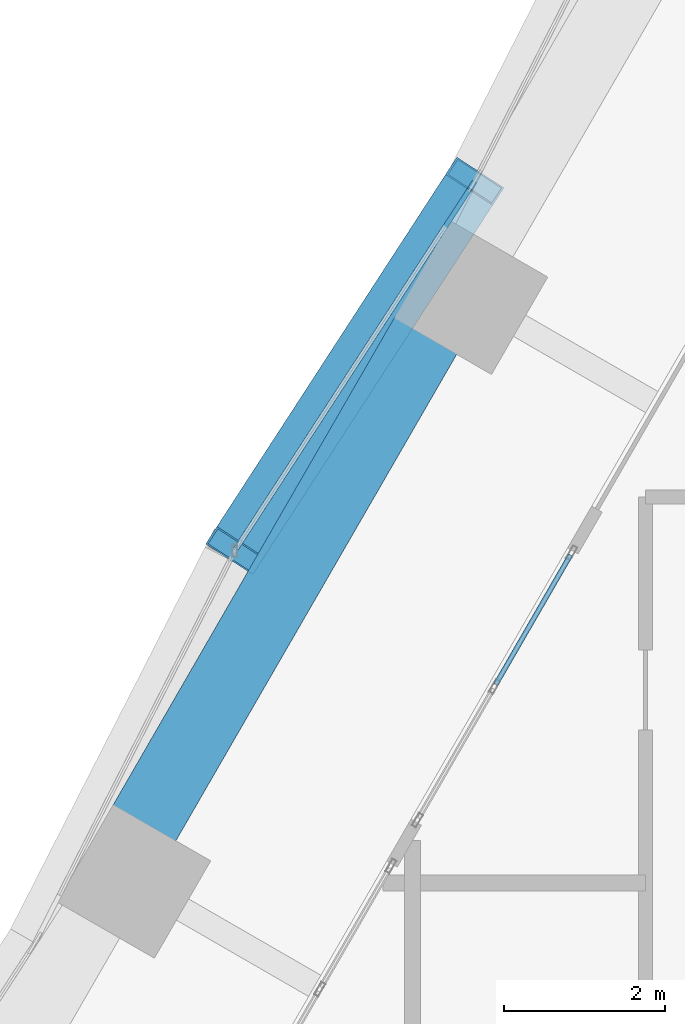
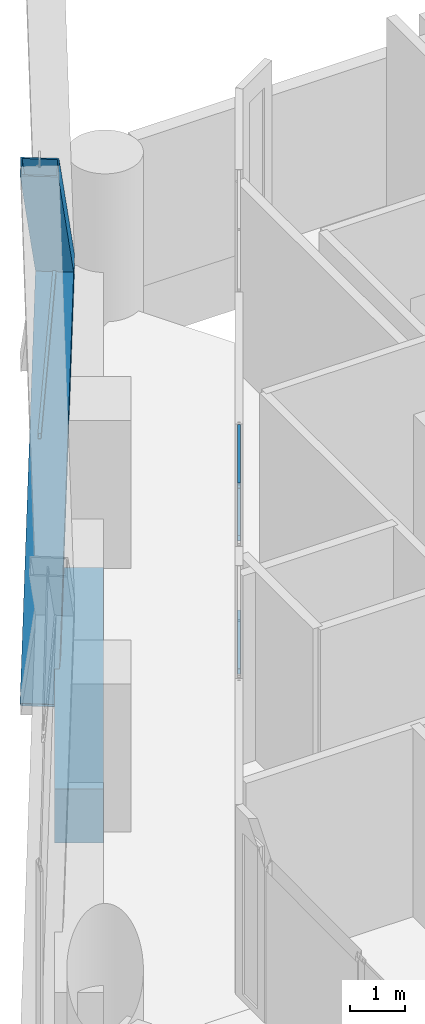
# One storey, part 26 of 46: 6 members, 1 beam, 2 elements without a shape of their own.
"""IFC4 building model written with IfcOpenShell, lengths in metres."""

from ifc_helpers import new_model, si_unit, direction, frame, origin, origin_2d, place, context, subcontext, project, spatial, rectangle, hollow_rectangle, extrude, material, material_profile, profile_set, type_object, element, aggregate, save


model = new_model("IFC4")

# Units and contexts
model_context = context("Model", 3, precision=1e-05, world=origin(), true_north=direction((0.0, 1.0)))
body_context = subcontext(model_context, "Body", "Model", "MODEL_VIEW")
ifc_project = project(units=[si_unit("LENGTHUNIT", "METRE"), si_unit("AREAUNIT", "SQUARE_METRE"), si_unit("VOLUMEUNIT", "CUBIC_METRE"), si_unit("PLANEANGLEUNIT", "RADIAN"), si_unit("MASSUNIT", "GRAM", prefix="KILO")], contexts=[model_context])

# Site, building, storey
site_placement = place(None, origin())
site = spatial("IfcSite", under=ifc_project, at=site_placement, CompositionType="ELEMENT")
building_placement = place(site_placement, origin())
building = spatial("IfcBuilding", under=site, at=building_placement, Name="Ostrander Bayou Hotel Tower", CompositionType="ELEMENT")
storey_placement = place(building_placement, frame((0.0, 0.0, 23.5)))
storey = spatial("IfcBuildingStorey", under=building, at=storey_placement, Name="L05", CompositionType="ELEMENT", Elevation=23.5)

# Curtain wall, member
ifc_material_1 = material(Name="Aluminium and clear glass", Category="aluminium")
curtain_wall_type_1 = type_object("IfcCurtainWallType", Name="CW-LAT lattice glazing", PredefinedType="NOTDEFINED", material=ifc_material_1)
curtain_wall_1_placement = place(storey_placement, origin())
curtain_wall_1 = element("IfcCurtainWall", 1, at=curtain_wall_1_placement, inside=storey, type_object=curtain_wall_type_1, Name="CW-LAT L05 NW 2", PredefinedType="NOTDEFINED")
ifc_material_2 = material(Name="Aluminium", Category="aluminium")
ifc_material_profile_1 = material_profile(ifc_material_2, hollow_rectangle(XDim=0.06005859375, YDim=0.1201171875, WallThickness=0.00390625, at=origin_2d()))
ifc_profile_set_1 = profile_set([ifc_material_profile_1], Name="Aluminium")
member_type_1 = type_object("IfcMemberType", Name="CW-LA transom 60 x 120 mm", PredefinedType="USERDEFINED", material=ifc_profile_set_1)
member_1_placement = place(storey_placement, frame((-19.11328125, 11.034912109375, 5.39990234375), z_axis=(0.544651812438, 0.838662270052, 0.0), x_axis=(-0.838662270052, 0.544651812438, 0.0)))
member_1 = element("IfcMember", 2, at=member_1_placement, type_object=member_type_1, Name="CW-LAT transom 6", ObjectType="TRANSOM", PredefinedType="USERDEFINED", context=body_context, shape_type="SweptSolid", body=[
    extrude(hollow_rectangle(XDim=0.06005859375, YDim=0.1201171875, WallThickness=0.00390625, at=origin_2d()), origin(), (0.0, 0.0, 1.0), 5.48291015625),
])
aggregate(curtain_wall_1, [member_1])

# Curtain wall, members
ifc_material_3 = material(Name="Aluminium and clear glass", Category="aluminium")
curtain_wall_type_2 = type_object("IfcCurtainWallType", Name="CW-SKY amenity glass wall", PredefinedType="NOTDEFINED", material=ifc_material_3)
curtain_wall_2_placement = place(storey_placement, origin())
curtain_wall_2 = element("IfcCurtainWall", 3, at=curtain_wall_2_placement, inside=storey, type_object=curtain_wall_type_2, Name="CW-SKY L05 NW 3", PredefinedType="NOTDEFINED")
ifc_material_4 = material(Name="Aluminium", Category="aluminium")
ifc_material_profile_2 = material_profile(ifc_material_4, hollow_rectangle(XDim=0.06005859375, YDim=0.1201171875, WallThickness=0.00390625, at=origin_2d()))
ifc_profile_set_2 = profile_set([ifc_material_profile_2], Name="Aluminium")
member_type_2 = type_object("IfcMemberType", Name="CW-SK transom 60 x 120 mm", PredefinedType="USERDEFINED", material=ifc_profile_set_2)
member_2_placement = place(storey_placement, frame((-14.9365234375, 10.979248046875, 0.030029296875), z_axis=(-0.499964847546, -0.866045698112, 0.0), x_axis=(0.866045698112, -0.499964847546, 0.0)))
member_2 = element("IfcMember", 4, at=member_2_placement, type_object=member_type_2, Name="CW-SKY transom 1.1", ObjectType="TRANSOM", PredefinedType="USERDEFINED", context=body_context, shape_type="SweptSolid", body=[
    extrude(hollow_rectangle(XDim=0.06005859375, YDim=0.1201171875, WallThickness=0.00390625, at=origin_2d()), origin(), (0.0, 0.0, 1.0), 1.860107421875),
])
member_3_placement = place(storey_placement, frame((-14.9365234375, 10.979248046875, 3.0), z_axis=(-0.499964847546, -0.866045698112, 0.0), x_axis=(0.866045698112, -0.499964847546, 0.0)))
member_3 = element("IfcMember", 5, at=member_3_placement, type_object=member_type_2, Name="CW-SKY transom 1.2", ObjectType="TRANSOM", PredefinedType="USERDEFINED", context=body_context, shape_type="SweptSolid", body=[
    extrude(hollow_rectangle(XDim=0.06005859375, YDim=0.1201171875, WallThickness=0.00390625, at=origin_2d()), origin(), (0.0, 0.0, 1.0), 1.860107421875),
])
member_4_placement = place(storey_placement, frame((-14.9365234375, 10.979248046875, 4.169921875), z_axis=(-0.499964847546, -0.866045698112, 0.0), x_axis=(0.866045698112, -0.499964847546, 0.0)))
member_4 = element("IfcMember", 6, at=member_4_placement, type_object=member_type_2, Name="CW-SKY transom 1.3", ObjectType="TRANSOM", PredefinedType="USERDEFINED", context=body_context, shape_type="SweptSolid", body=[
    extrude(hollow_rectangle(XDim=0.06005859375, YDim=0.1201171875, WallThickness=0.00390625, at=origin_2d()), origin(), (0.0, 0.0, 1.0), 1.860107421875),
])
aggregate(curtain_wall_2, [member_2, member_3, member_4])

# Members
ifc_material_5 = material(Name="Steel ASTM A572 Gr 50", Category="steel")
ifc_material_profile_3 = material_profile(ifc_material_5, hollow_rectangle(XDim=0.699951171875, YDim=0.35009765625, WallThickness=0.02490234375, at=origin_2d()))
ifc_profile_set_3 = profile_set([ifc_material_profile_3], Name="Steel ASTM A572 Gr 50")
member_type_3 = type_object("IfcMemberType", Name="LT1 lattice member box 700 x 350 x 25 mm", PredefinedType="BRACE", material=ifc_profile_set_3)
for number, where, z_axis, x_axis, name in (
    (7, (-16.126953125, 15.63330078125, 5.39990234375), (-0.367415336606, -0.5657511335, -0.738194842416), (0.838662270052, -0.544651812438, 0.0), "LT1 L05 NW 3"),
    (8, (-16.126953125, 15.63330078125, 5.39990234375), (-0.367415336606, -0.5657511335, 0.738194842416), (0.838662270052, -0.544651812438, 0.0), "LT1 L05 NW 4"),
):
    element("IfcMember", number, at=place(storey_placement, frame(where, z_axis=z_axis, x_axis=x_axis)), inside=storey, type_object=member_type_3, Name=name, PredefinedType="BRACE", context=body_context, shape_type="SweptSolid", body=[
        extrude(hollow_rectangle(XDim=0.699951171875, YDim=0.35009765625, WallThickness=0.02490234375, at=origin_2d()), origin(), (0.0, 0.0, 1.0), 8.1279296875),
    ])

# Beam
ifc_material_6 = material(Name="Concrete f'c 70 MPa", Category="concrete")
ifc_material_profile_4 = material_profile(ifc_material_6, rectangle(XDim=0.89990234375, YDim=1.199951171875, at=origin_2d()))
ifc_profile_set_4 = profile_set([ifc_material_profile_4], Name="Concrete f'c 70 MPa")
beam_type = type_object("IfcBeamType", Name="SP1 spandrel beam 900 x 1200 mm f'c 70 MPa", PredefinedType="SPANDREL", material=ifc_profile_set_4)
beam_placement = place(storey_placement, frame((-16.726806640625, 13.72802734375, -0.60009765625), z_axis=(-0.499997206141, -0.866027016814, 0.0), x_axis=(0.866027016814, -0.499997206141, 0.0)))
element("IfcBeam", 9, at=beam_placement, inside=storey, type_object=beam_type, Name="SP1 L05 NW-2", PredefinedType="SPANDREL", context=body_context, shape_type="SweptSolid", body=[
    extrude(rectangle(XDim=0.89990234375, YDim=1.199951171875, at=origin_2d()), origin(), (0.0, 0.0, 1.0), 7.05078125),
])

save(model, "model.ifc")
